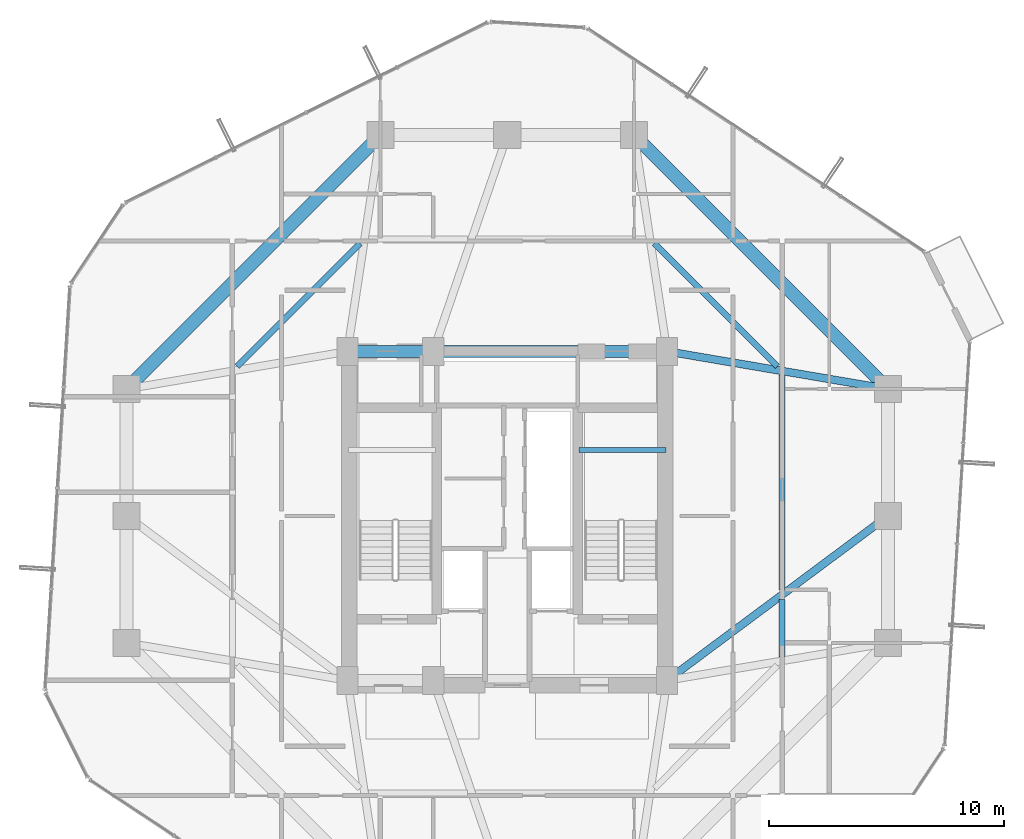
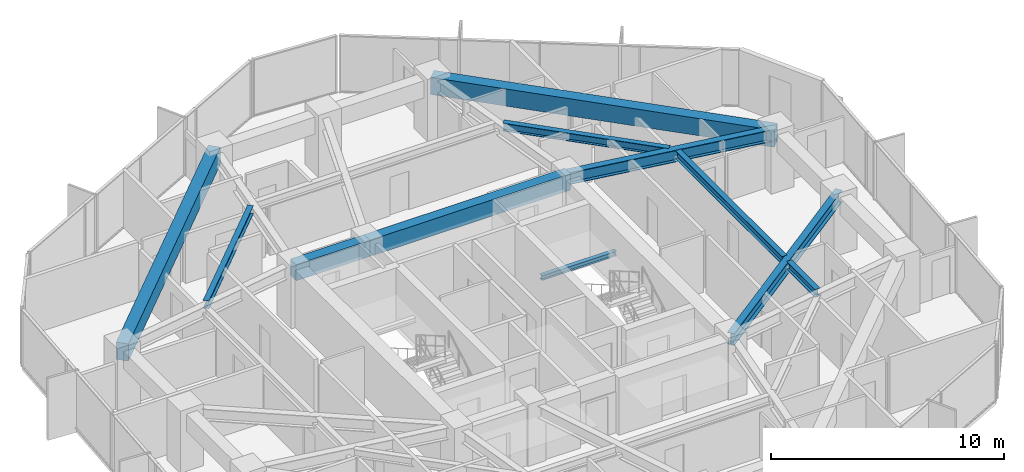
# One storey, part 11 of 30: 11 beams.
"""IFC4 building model written with IfcOpenShell, lengths in metres."""

from ifc_helpers import new_model, si_unit, direction, frame, origin, origin_2d, place, context, subcontext, project, spatial, rectangle, i_section, extrude, material, material_profile, profile_set, type_object, element, save


model = new_model("IFC4")

# Units and contexts
model_context = context("Model", 3, precision=1e-05, world=origin(), true_north=direction((0.0, 1.0)))
body_context = subcontext(model_context, "Body", "Model", "MODEL_VIEW")
ifc_project = project(units=[si_unit("LENGTHUNIT", "METRE"), si_unit("AREAUNIT", "SQUARE_METRE"), si_unit("VOLUMEUNIT", "CUBIC_METRE"), si_unit("PLANEANGLEUNIT", "RADIAN"), si_unit("MASSUNIT", "GRAM", prefix="KILO")], contexts=[model_context])

# Site, building, storey
site_placement = place(None, origin())
site = spatial("IfcSite", under=ifc_project, at=site_placement, CompositionType="ELEMENT")
building_placement = place(site_placement, origin())
building = spatial("IfcBuilding", under=site, at=building_placement, Name="Veraguas Prism Commons", CompositionType="ELEMENT")
storey_placement = place(building_placement, frame((0.0, 0.0, 116.5)))
storey = spatial("IfcBuildingStorey", under=building, at=storey_placement, Name="L32", CompositionType="ELEMENT", Elevation=116.5)

# Beams
ifc_material_1 = material(Name="Concrete C50/60", Category="concrete")
ifc_material_profile_1 = material_profile(ifc_material_1, rectangle(XDim=0.5, YDim=0.85009765625, at=origin_2d()), Name="RC500X850")
ifc_profile_set_1 = profile_set([ifc_material_profile_1], Name="Concrete C50/60")
beam_type_1 = type_object("IfcBeamType", Name="Core Coupling Beam RC 500x850", PredefinedType="BEAM", material=ifc_profile_set_1)
beam_1_placement = place(storey_placement, frame((17.199951171875, 31.0, 2.574951171875), z_axis=(1.0, 0.0, 0.0), x_axis=(0.0, 1.0, 0.0)))
element("IfcBeam", 1, at=beam_1_placement, inside=storey, type_object=beam_type_1, Name="Core Coupling Beam L32-CRN1", PredefinedType="BEAM", context=body_context, shape_type="SweptSolid", body=[
    extrude(rectangle(XDim=0.5, YDim=0.85009765625, at=origin_2d()), origin(), (0.0, 0.0, 1.0), 3.650146484375),
])
beam_2_placement = place(storey_placement, frame((20.85009765625, 31.0, 2.574951171875), z_axis=(1.0, 0.0, 0.0), x_axis=(0.0, 1.0, 0.0)))
element("IfcBeam", 2, at=beam_2_placement, inside=storey, type_object=beam_type_1, Name="Core Coupling Beam L32-CRN2", PredefinedType="BEAM", context=body_context, shape_type="SweptSolid", body=[
    extrude(rectangle(XDim=0.5, YDim=0.85009765625, at=origin_2d()), origin(), (0.0, 0.0, 1.0), 9.949951171875),
])
ifc_material_2 = material(Name="Steel ASTM A992 Grade 50", Category="steel")
ifc_material_profile_2 = material_profile(ifc_material_2, i_section(OverallWidth=0.260986328125, OverallDepth=0.419921875, WebThickness=0.01171875, FlangeThickness=0.019287109375, at=origin_2d()), Name="W410X114")
ifc_profile_set_2 = profile_set([ifc_material_profile_2], Name="Steel ASTM A992 Grade 50")
beam_type_2 = type_object("IfcBeamType", Name="Lower Floor Joist W410x114", PredefinedType="JOIST", material=ifc_profile_set_2)
beam_3_placement = place(storey_placement, frame((35.68798828125, 17.996337890625, 2.7900390625), z_axis=(0.0, 1.0, 0.0), x_axis=(-1.0, 0.0, 0.0)))
element("IfcBeam", 3, at=beam_3_placement, inside=storey, type_object=beam_type_2, Name="Composite Floor Joist L32-JS01", PredefinedType="JOIST", context=body_context, shape_type="SweptSolid", body=[
    extrude(i_section(OverallWidth=0.260986328125, OverallDepth=0.419921875, WebThickness=0.01171875, FlangeThickness=0.019287109375, at=origin_2d()), origin(), (0.0, 0.0, 1.0), 2.441650390625),
])
beam_4_placement = place(storey_placement, frame((35.68798828125, 20.842041015625, 2.7900390625), z_axis=(0.0, 1.0, 0.0), x_axis=(-1.0, 0.0, 0.0)))
element("IfcBeam", 4, at=beam_4_placement, inside=storey, type_object=beam_type_2, Name="Composite Floor Joist L32-JS02", PredefinedType="JOIST", context=body_context, shape_type="SweptSolid", body=[
    extrude(i_section(OverallWidth=0.260986328125, OverallDepth=0.419921875, WebThickness=0.01171875, FlangeThickness=0.019287109375, at=origin_2d()), origin(), (0.0, 0.0, 1.0), 9.16162109375),
])
for number, where, z_axis, x_axis, name in (
    (5, (35.489990234375, 30.365966796875, 2.7900390625), (-0.707090260193, 0.707123301794, 0.0), (-0.707123301794, -0.707090260193, 0.0), "Composite Floor Joist L32-JS03"),
    (6, (17.734619140625, 35.5908203125, 2.7900390625), (-0.707090260193, -0.707123301794, 0.0), (0.707123301794, -0.707090260193, 0.0), "Composite Floor Joist L32-JS06"),
):
    element("IfcBeam", number, at=place(storey_placement, frame(where, z_axis=z_axis, x_axis=x_axis)), inside=storey, type_object=beam_type_2, Name=name, PredefinedType="JOIST", context=body_context, shape_type="SweptSolid", body=[
        extrude(i_section(OverallWidth=0.260986328125, OverallDepth=0.419921875, WebThickness=0.01171875, FlangeThickness=0.019287109375, at=origin_2d()), origin(), (0.0, 0.0, 1.0), 7.388916015625),
    ])
ifc_material_profile_3 = material_profile(ifc_material_1, rectangle(XDim=0.550048828125, YDim=0.89990234375, at=origin_2d()), Name="RC550X900")
ifc_profile_set_3 = profile_set([ifc_material_profile_3], Name="Concrete C50/60")
beam_type_3 = type_object("IfcBeamType", Name="Perimeter Spandrel Lower RC 550x900", PredefinedType="SPANDREL", material=ifc_profile_set_3)
for number, where, z_axis, x_axis, name in (
    (7, (40.199951171875, 29.39990234375, 2.550048828125), (-0.707106781187, 0.707106781187, 0.0), (-0.707106781187, -0.707106781187, 0.0), "Perimeter Spandrel Beam L32-SP03"),
    (8, (18.60009765625, 40.199951171875, 2.550048828125), (-0.707106781187, -0.707106781187, 0.0), (0.707106781187, -0.707106781187, 0.0), "Perimeter Spandrel Beam L32-SP06"),
):
    element("IfcBeam", number, at=place(storey_placement, frame(where, z_axis=z_axis, x_axis=x_axis)), inside=storey, type_object=beam_type_3, Name=name, PredefinedType="SPANDREL", context=body_context, shape_type="SweptSolid", body=[
        extrude(rectangle(XDim=0.550048828125, YDim=0.89990234375, at=origin_2d()), origin(), (0.0, 0.0, 1.0), 15.273681640625),
    ])
ifc_material_profile_4 = material_profile(ifc_material_2, i_section(OverallWidth=0.202880859375, OverallDepth=0.251953125, WebThickness=0.008056640625, FlangeThickness=0.013427734375, at=origin_2d()), Name="W250X58")
ifc_profile_set_4 = profile_set([ifc_material_profile_4], Name="Steel ASTM A992 Grade 50")
beam_type_4 = type_object("IfcBeamType", Name="Structural Opening Lintel W250x58", PredefinedType="LINTEL", material=ifc_profile_set_4)
beam_5_placement = place(storey_placement, frame((27.050048828125, 26.800048828125, 1.299072265625), z_axis=(1.0, 0.0, 0.0), x_axis=(0.0, 1.0, 0.0)))
element("IfcBeam", 9, at=beam_5_placement, inside=storey, type_object=beam_type_4, Name="Stair ST-02 Half-Landing Support Beam L32-1", PredefinedType="LINTEL", context=body_context, shape_type="SweptSolid", body=[
    extrude(i_section(OverallWidth=0.202880859375, OverallDepth=0.251953125, WebThickness=0.008056640625, FlangeThickness=0.013427734375, at=origin_2d()), origin(), (0.0, 0.0, 1.0), 3.699951171875),
])
ifc_material_profile_5 = material_profile(ifc_material_2, i_section(OverallWidth=0.327880859375, OverallDepth=0.6220703125, WebThickness=0.015380859375, FlangeThickness=0.0244140625, at=origin_2d()), Name="W610X195")
ifc_profile_set_5 = profile_set([ifc_material_profile_5], Name="Steel ASTM A992 Grade 50")
beam_type_5 = type_object("IfcBeamType", Name="Zone 2 Radial Girder W610x195", PredefinedType="BEAM", material=ifc_profile_set_5)
beam_6_placement = place(storey_placement, frame((40.199951171875, 24.0, 2.68896484375), z_axis=(-0.802040137921, -0.597270137512, 0.0), x_axis=(0.597270137512, -0.802040137921, 0.0)))
element("IfcBeam", 10, at=beam_6_placement, inside=storey, type_object=beam_type_5, Name="Radial Floor Girder L32-RD02", PredefinedType="BEAM", context=body_context, shape_type="SweptSolid", body=[
    extrude(i_section(OverallWidth=0.327880859375, OverallDepth=0.6220703125, WebThickness=0.015380859375, FlangeThickness=0.0244140625, at=origin_2d()), origin(), (0.0, 0.0, 1.0), 11.719970703125),
])
beam_7_placement = place(storey_placement, frame((40.199951171875, 29.39990234375, 2.68896484375), z_axis=(-0.985819187151, 0.1678109956, 0.0), x_axis=(-0.1678109956, -0.985819187151, 0.0)))
element("IfcBeam", 11, at=beam_7_placement, inside=storey, type_object=beam_type_5, Name="Radial Floor Girder L32-RD03", PredefinedType="BEAM", context=body_context, shape_type="SweptSolid", body=[
    extrude(i_section(OverallWidth=0.327880859375, OverallDepth=0.6220703125, WebThickness=0.015380859375, FlangeThickness=0.0244140625, at=origin_2d()), origin(), (0.0, 0.0, 1.0), 9.53515625),
])

save(model, "model.ifc")
